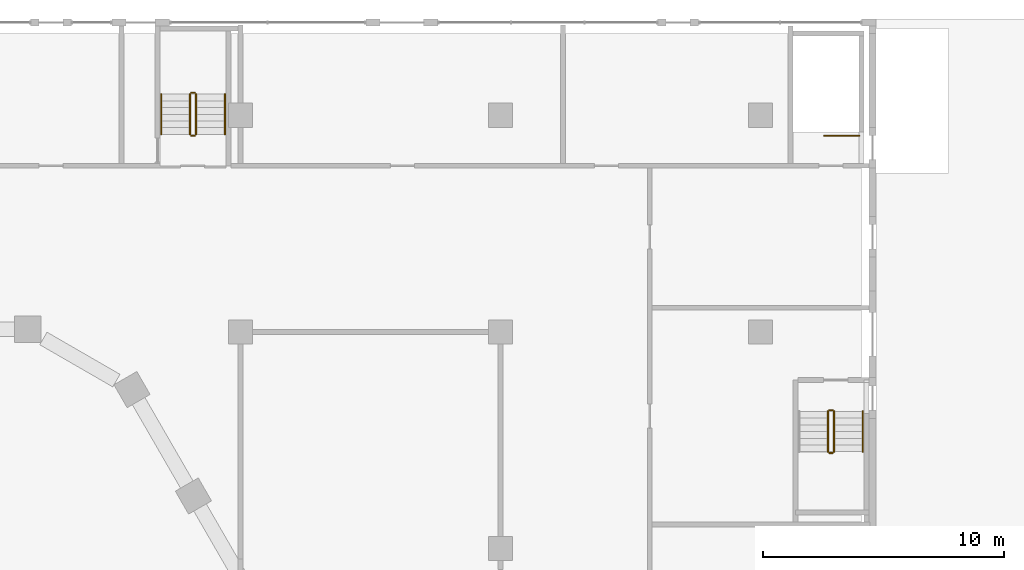
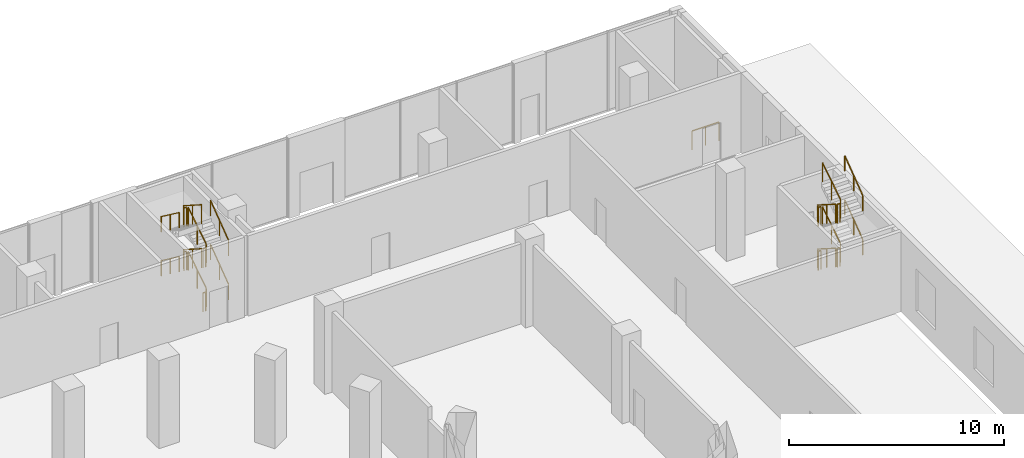
# One storey, part 55 of 57: 23 railings.
"""IFC4 building model written with IfcOpenShell, lengths in metres."""

from ifc_helpers import new_model, si_unit, direction, frame, origin, origin_2d, place, context, subcontext, project, spatial, rectangle, extrude, material, type_object, element, save


model = new_model("IFC4")

# Units and contexts
model_context = context("Model", 3, precision=1e-05, world=origin(), true_north=direction((0.0, 1.0)))
body_context = subcontext(model_context, "Body", "Model", "MODEL_VIEW")
ifc_project = project(units=[si_unit("LENGTHUNIT", "METRE"), si_unit("AREAUNIT", "SQUARE_METRE"), si_unit("VOLUMEUNIT", "CUBIC_METRE"), si_unit("PLANEANGLEUNIT", "RADIAN"), si_unit("MASSUNIT", "GRAM", prefix="KILO")], contexts=[model_context])

# Site, building, storey
site_placement = place(None, origin())
site = spatial("IfcSite", under=ifc_project, at=site_placement, CompositionType="ELEMENT")
building_placement = place(site_placement, origin())
building = spatial("IfcBuilding", under=site, at=building_placement, Name="Beryl Residences", CompositionType="ELEMENT")
storey_placement = place(building_placement, origin())
storey = spatial("IfcBuildingStorey", under=building, at=storey_placement, Name="L00", CompositionType="ELEMENT", Elevation=0.0)

# Railings
ifc_material_1 = material(Name="Stainless steel balustrade with glass infill", Category="steel")
railing_type_1 = type_object("IfcRailingType", Name="SG1 stair guard 1100 mm", PredefinedType="GUARDRAIL", material=ifc_material_1)
railing_1_placement = place(storey_placement, frame((47.300048828125, 35.14990234375, 0.0)))
element("IfcRailing", 1, at=railing_1_placement, inside=storey, type_object=railing_type_1, Name="L00 BS-3 top well guard 1", PredefinedType="GUARDRAIL", context=body_context, shape_type="SweptSolid", body=[
    extrude(rectangle(XDim=0.048095703125, YDim=0.048095703125, at=origin_2d()), frame((0.0, 0.0, 1.076171875), z_axis=(-1.0, 0.0, 0.0), x_axis=(0.0, -1.0, 0.0)), (0.0, 0.0, 1.0), 1.449951171875),
    extrude(rectangle(XDim=0.0419921875, YDim=0.0419921875, at=origin_2d()), origin(), (0.0, 0.0, 1.0), 1.052001953125),
    extrude(rectangle(XDim=0.0419921875, YDim=0.0419921875, at=origin_2d()), frame((-0.72509765625, 0.0, 0.0)), (0.0, 0.0, 1.0), 1.052001953125),
    extrude(rectangle(XDim=0.0419921875, YDim=0.0419921875, at=origin_2d()), frame((-1.449951171875, 0.0, 0.0)), (0.0, 0.0, 1.0), 1.052001953125),
])
railing_2_placement = place(storey_placement, frame((19.75, 35.199951171875, 0.178466796875)))
element("IfcRailing", 2, at=railing_2_placement, inside=storey, type_object=railing_type_1, Name="L00 PS-2 stair guard 1", PredefinedType="GUARDRAIL", context=body_context, shape_type="SweptSolid", body=[
    extrude(rectangle(XDim=0.048095703125, YDim=0.048095703125, at=origin_2d()), frame((0.0, 0.0, 1.076171875), z_axis=(0.0, 0.843095963019, 0.537763142231), x_axis=(-1.0, 0.0, 0.0)), (0.0, 0.0, 1.0), 1.99267578125),
    extrude(rectangle(XDim=0.0419921875, YDim=0.0419921875, at=origin_2d()), origin(), (0.0, 0.0, 1.0), 1.052001953125),
    extrude(rectangle(XDim=0.0419921875, YDim=0.0419921875, at=origin_2d()), frame((0.0, 0.83984375, 0.53564453125)), (0.0, 0.0, 1.0), 1.052001953125),
    extrude(rectangle(XDim=0.0419921875, YDim=0.0419921875, at=origin_2d()), frame((0.0, 1.679931640625, 1.071533203125)), (0.0, 0.0, 1.0), 1.052001953125),
])
railing_3_placement = place(storey_placement, frame((19.699951171875, 36.929931640625, 1.25)))
element("IfcRailing", 3, at=railing_3_placement, inside=storey, type_object=railing_type_1, Name="L00 PS-2 stair guard 2", PredefinedType="GUARDRAIL", context=body_context, shape_type="SweptSolid", body=[
    extrude(rectangle(XDim=0.048095703125, YDim=0.048095703125, at=origin_2d()), frame((0.0, 0.0, 1.076171875), z_axis=(-1.0, 0.0, 0.0), x_axis=(0.0, -1.0, 0.0)), (0.0, 0.0, 1.0), 0.14990234375),
    extrude(rectangle(XDim=0.0419921875, YDim=0.0419921875, at=origin_2d()), origin(), (0.0, 0.0, 1.0), 1.052001953125),
    extrude(rectangle(XDim=0.0419921875, YDim=0.0419921875, at=origin_2d()), frame((-0.14990234375, 0.0, 0.0)), (0.0, 0.0, 1.0), 1.052001953125),
])
railing_4_placement = place(storey_placement, frame((19.5, 36.8798828125, 1.428466796875)))
element("IfcRailing", 4, at=railing_4_placement, inside=storey, type_object=railing_type_1, Name="L00 PS-2 stair guard 3", PredefinedType="GUARDRAIL", context=body_context, shape_type="SweptSolid", body=[
    extrude(rectangle(XDim=0.048095703125, YDim=0.048095703125, at=origin_2d()), frame((0.0, 0.0, 1.076171875), z_axis=(0.0, -0.843095963019, 0.537763142231), x_axis=(1.0, 0.0, 0.0)), (0.0, 0.0, 1.0), 1.99267578125),
    extrude(rectangle(XDim=0.0419921875, YDim=0.0419921875, at=origin_2d()), origin(), (0.0, 0.0, 1.0), 1.052001953125),
    extrude(rectangle(XDim=0.0419921875, YDim=0.0419921875, at=origin_2d()), frame((0.0, -0.83984375, 0.53564453125)), (0.0, 0.0, 1.0), 1.052001953125),
    extrude(rectangle(XDim=0.0419921875, YDim=0.0419921875, at=origin_2d()), frame((0.0, -1.679931640625, 1.071533203125)), (0.0, 0.0, 1.0), 1.052001953125),
])
railing_5_placement = place(storey_placement, frame((19.699951171875, 35.14990234375, 2.5)))
element("IfcRailing", 5, at=railing_5_placement, inside=storey, type_object=railing_type_1, Name="L00 PS-2 stair guard 4", PredefinedType="GUARDRAIL", context=body_context, shape_type="SweptSolid", body=[
    extrude(rectangle(XDim=0.048095703125, YDim=0.048095703125, at=origin_2d()), frame((0.0, 0.0, 1.076171875), z_axis=(-1.0, 0.0, 0.0), x_axis=(0.0, -1.0, 0.0)), (0.0, 0.0, 1.0), 0.14990234375),
    extrude(rectangle(XDim=0.0419921875, YDim=0.0419921875, at=origin_2d()), origin(), (0.0, 0.0, 1.0), 1.052001953125),
    extrude(rectangle(XDim=0.0419921875, YDim=0.0419921875, at=origin_2d()), frame((-0.14990234375, 0.0, 0.0)), (0.0, 0.0, 1.0), 1.052001953125),
])
railing_6_placement = place(storey_placement, frame((19.75, 35.199951171875, 2.678466796875)))
element("IfcRailing", 6, at=railing_6_placement, inside=storey, type_object=railing_type_1, Name="L00 PS-2 stair guard 5", PredefinedType="GUARDRAIL", context=body_context, shape_type="SweptSolid", body=[
    extrude(rectangle(XDim=0.048095703125, YDim=0.048095703125, at=origin_2d()), frame((0.0, 0.0, 1.076171875), z_axis=(0.0, 0.843095963019, 0.537763142231), x_axis=(-1.0, 0.0, 0.0)), (0.0, 0.0, 1.0), 1.99267578125),
    extrude(rectangle(XDim=0.0419921875, YDim=0.0419921875, at=origin_2d()), origin(), (0.0, 0.0, 1.0), 1.052001953125),
    extrude(rectangle(XDim=0.0419921875, YDim=0.0419921875, at=origin_2d()), frame((0.0, 0.83984375, 0.53564453125)), (0.0, 0.0, 1.0), 1.052001953125),
    extrude(rectangle(XDim=0.0419921875, YDim=0.0419921875, at=origin_2d()), frame((0.0, 1.679931640625, 1.071533203125)), (0.0, 0.0, 1.0), 1.052001953125),
])
railing_7_placement = place(storey_placement, frame((19.699951171875, 36.929931640625, 3.75)))
element("IfcRailing", 7, at=railing_7_placement, inside=storey, type_object=railing_type_1, Name="L00 PS-2 stair guard 6", PredefinedType="GUARDRAIL", context=body_context, shape_type="SweptSolid", body=[
    extrude(rectangle(XDim=0.048095703125, YDim=0.048095703125, at=origin_2d()), frame((0.0, 0.0, 1.076171875), z_axis=(-1.0, 0.0, 0.0), x_axis=(0.0, -1.0, 0.0)), (0.0, 0.0, 1.0), 0.14990234375),
    extrude(rectangle(XDim=0.0419921875, YDim=0.0419921875, at=origin_2d()), origin(), (0.0, 0.0, 1.0), 1.052001953125),
    extrude(rectangle(XDim=0.0419921875, YDim=0.0419921875, at=origin_2d()), frame((-0.14990234375, 0.0, 0.0)), (0.0, 0.0, 1.0), 1.052001953125),
])
railing_8_placement = place(storey_placement, frame((19.5, 36.8798828125, 3.928466796875)))
element("IfcRailing", 8, at=railing_8_placement, inside=storey, type_object=railing_type_1, Name="L00 PS-2 stair guard 7", PredefinedType="GUARDRAIL", context=body_context, shape_type="SweptSolid", body=[
    extrude(rectangle(XDim=0.048095703125, YDim=0.048095703125, at=origin_2d()), frame((0.0, 0.0, 1.076171875), z_axis=(0.0, -0.843095963019, 0.537763142231), x_axis=(1.0, 0.0, 0.0)), (0.0, 0.0, 1.0), 1.99267578125),
    extrude(rectangle(XDim=0.0419921875, YDim=0.0419921875, at=origin_2d()), origin(), (0.0, 0.0, 1.0), 1.052001953125),
    extrude(rectangle(XDim=0.0419921875, YDim=0.0419921875, at=origin_2d()), frame((0.0, -0.83984375, 0.53564453125)), (0.0, 0.0, 1.0), 1.052001953125),
    extrude(rectangle(XDim=0.0419921875, YDim=0.0419921875, at=origin_2d()), frame((0.0, -1.679931640625, 1.071533203125)), (0.0, 0.0, 1.0), 1.052001953125),
])
railing_9_placement = place(storey_placement, frame((19.699951171875, 35.14990234375, 0.0)))
element("IfcRailing", 9, at=railing_9_placement, inside=storey, type_object=railing_type_1, Name="L00 PS-2 stair guard 8", PredefinedType="GUARDRAIL", context=body_context, shape_type="SweptSolid", body=[
    extrude(rectangle(XDim=0.048095703125, YDim=0.048095703125, at=origin_2d()), frame((0.0, 0.0, 1.076171875), z_axis=(-1.0, 0.0, 0.0), x_axis=(0.0, -1.0, 0.0)), (0.0, 0.0, 1.0), 0.14990234375),
    extrude(rectangle(XDim=0.0419921875, YDim=0.0419921875, at=origin_2d()), origin(), (0.0, 0.0, 1.0), 1.052001953125),
    extrude(rectangle(XDim=0.0419921875, YDim=0.0419921875, at=origin_2d()), frame((-0.14990234375, 0.0, 0.0)), (0.0, 0.0, 1.0), 1.052001953125),
])
railing_10_placement = place(storey_placement, frame((46.0, 23.699951171875, 0.178466796875)))
element("IfcRailing", 10, at=railing_10_placement, inside=storey, type_object=railing_type_1, Name="L00 PS-5 stair guard 1", PredefinedType="GUARDRAIL", context=body_context, shape_type="SweptSolid", body=[
    extrude(rectangle(XDim=0.048095703125, YDim=0.048095703125, at=origin_2d()), frame((0.0, 0.0, 1.076171875), z_axis=(0.0, -0.843095963019, 0.537763142231), x_axis=(1.0, 0.0, 0.0)), (0.0, 0.0, 1.0), 1.99267578125),
    extrude(rectangle(XDim=0.0419921875, YDim=0.0419921875, at=origin_2d()), origin(), (0.0, 0.0, 1.0), 1.052001953125),
    extrude(rectangle(XDim=0.0419921875, YDim=0.0419921875, at=origin_2d()), frame((0.0, -0.83984375, 0.53564453125)), (0.0, 0.0, 1.0), 1.052001953125),
    extrude(rectangle(XDim=0.0419921875, YDim=0.0419921875, at=origin_2d()), frame((0.0, -1.679931640625, 1.071533203125)), (0.0, 0.0, 1.0), 1.052001953125),
])
railing_11_placement = place(storey_placement, frame((46.050048828125, 21.969970703125, 1.25)))
element("IfcRailing", 11, at=railing_11_placement, inside=storey, type_object=railing_type_1, Name="L00 PS-5 stair guard 2", PredefinedType="GUARDRAIL", context=body_context, shape_type="SweptSolid", body=[
    extrude(rectangle(XDim=0.048095703125, YDim=0.048095703125, at=origin_2d()), frame((0.0, 0.0, 1.076171875), z_axis=(1.0, 0.0, 0.0), x_axis=(0.0, 1.0, 0.0)), (0.0, 0.0, 1.0), 0.14990234375),
    extrude(rectangle(XDim=0.0419921875, YDim=0.0419921875, at=origin_2d()), origin(), (0.0, 0.0, 1.0), 1.052001953125),
    extrude(rectangle(XDim=0.0419921875, YDim=0.0419921875, at=origin_2d()), frame((0.14990234375, 0.0, 0.0)), (0.0, 0.0, 1.0), 1.052001953125),
])
railing_12_placement = place(storey_placement, frame((46.25, 22.02001953125, 1.428466796875)))
element("IfcRailing", 12, at=railing_12_placement, inside=storey, type_object=railing_type_1, Name="L00 PS-5 stair guard 3", PredefinedType="GUARDRAIL", context=body_context, shape_type="SweptSolid", body=[
    extrude(rectangle(XDim=0.048095703125, YDim=0.048095703125, at=origin_2d()), frame((0.0, 0.0, 1.076171875), z_axis=(0.0, 0.843095963019, 0.537763142231), x_axis=(-1.0, 0.0, 0.0)), (0.0, 0.0, 1.0), 1.99267578125),
    extrude(rectangle(XDim=0.0419921875, YDim=0.0419921875, at=origin_2d()), origin(), (0.0, 0.0, 1.0), 1.052001953125),
    extrude(rectangle(XDim=0.0419921875, YDim=0.0419921875, at=origin_2d()), frame((0.0, 0.83984375, 0.53564453125)), (0.0, 0.0, 1.0), 1.052001953125),
    extrude(rectangle(XDim=0.0419921875, YDim=0.0419921875, at=origin_2d()), frame((0.0, 1.679931640625, 1.071533203125)), (0.0, 0.0, 1.0), 1.052001953125),
])
railing_13_placement = place(storey_placement, frame((46.050048828125, 23.75, 2.5)))
element("IfcRailing", 13, at=railing_13_placement, inside=storey, type_object=railing_type_1, Name="L00 PS-5 stair guard 4", PredefinedType="GUARDRAIL", context=body_context, shape_type="SweptSolid", body=[
    extrude(rectangle(XDim=0.048095703125, YDim=0.048095703125, at=origin_2d()), frame((0.0, 0.0, 1.076171875), z_axis=(1.0, 0.0, 0.0), x_axis=(0.0, 1.0, 0.0)), (0.0, 0.0, 1.0), 0.14990234375),
    extrude(rectangle(XDim=0.0419921875, YDim=0.0419921875, at=origin_2d()), origin(), (0.0, 0.0, 1.0), 1.052001953125),
    extrude(rectangle(XDim=0.0419921875, YDim=0.0419921875, at=origin_2d()), frame((0.14990234375, 0.0, 0.0)), (0.0, 0.0, 1.0), 1.052001953125),
])
railing_14_placement = place(storey_placement, frame((46.0, 23.699951171875, 2.678466796875)))
element("IfcRailing", 14, at=railing_14_placement, inside=storey, type_object=railing_type_1, Name="L00 PS-5 stair guard 5", PredefinedType="GUARDRAIL", context=body_context, shape_type="SweptSolid", body=[
    extrude(rectangle(XDim=0.048095703125, YDim=0.048095703125, at=origin_2d()), frame((0.0, 0.0, 1.076171875), z_axis=(0.0, -0.843095963019, 0.537763142231), x_axis=(1.0, 0.0, 0.0)), (0.0, 0.0, 1.0), 1.99267578125),
    extrude(rectangle(XDim=0.0419921875, YDim=0.0419921875, at=origin_2d()), origin(), (0.0, 0.0, 1.0), 1.052001953125),
    extrude(rectangle(XDim=0.0419921875, YDim=0.0419921875, at=origin_2d()), frame((0.0, -0.83984375, 0.53564453125)), (0.0, 0.0, 1.0), 1.052001953125),
    extrude(rectangle(XDim=0.0419921875, YDim=0.0419921875, at=origin_2d()), frame((0.0, -1.679931640625, 1.071533203125)), (0.0, 0.0, 1.0), 1.052001953125),
])
railing_15_placement = place(storey_placement, frame((46.050048828125, 21.969970703125, 3.75)))
element("IfcRailing", 15, at=railing_15_placement, inside=storey, type_object=railing_type_1, Name="L00 PS-5 stair guard 6", PredefinedType="GUARDRAIL", context=body_context, shape_type="SweptSolid", body=[
    extrude(rectangle(XDim=0.048095703125, YDim=0.048095703125, at=origin_2d()), frame((0.0, 0.0, 1.076171875), z_axis=(1.0, 0.0, 0.0), x_axis=(0.0, 1.0, 0.0)), (0.0, 0.0, 1.0), 0.14990234375),
    extrude(rectangle(XDim=0.0419921875, YDim=0.0419921875, at=origin_2d()), origin(), (0.0, 0.0, 1.0), 1.052001953125),
    extrude(rectangle(XDim=0.0419921875, YDim=0.0419921875, at=origin_2d()), frame((0.14990234375, 0.0, 0.0)), (0.0, 0.0, 1.0), 1.052001953125),
])
railing_16_placement = place(storey_placement, frame((46.25, 22.02001953125, 3.928466796875)))
element("IfcRailing", 16, at=railing_16_placement, inside=storey, type_object=railing_type_1, Name="L00 PS-5 stair guard 7", PredefinedType="GUARDRAIL", context=body_context, shape_type="SweptSolid", body=[
    extrude(rectangle(XDim=0.048095703125, YDim=0.048095703125, at=origin_2d()), frame((0.0, 0.0, 1.076171875), z_axis=(0.0, 0.843095963019, 0.537763142231), x_axis=(-1.0, 0.0, 0.0)), (0.0, 0.0, 1.0), 1.99267578125),
    extrude(rectangle(XDim=0.0419921875, YDim=0.0419921875, at=origin_2d()), origin(), (0.0, 0.0, 1.0), 1.052001953125),
    extrude(rectangle(XDim=0.0419921875, YDim=0.0419921875, at=origin_2d()), frame((0.0, 0.83984375, 0.53564453125)), (0.0, 0.0, 1.0), 1.052001953125),
    extrude(rectangle(XDim=0.0419921875, YDim=0.0419921875, at=origin_2d()), frame((0.0, 1.679931640625, 1.071533203125)), (0.0, 0.0, 1.0), 1.052001953125),
])
railing_17_placement = place(storey_placement, frame((46.050048828125, 23.75, 0.0)))
element("IfcRailing", 17, at=railing_17_placement, inside=storey, type_object=railing_type_1, Name="L00 PS-5 stair guard 8", PredefinedType="GUARDRAIL", context=body_context, shape_type="SweptSolid", body=[
    extrude(rectangle(XDim=0.048095703125, YDim=0.048095703125, at=origin_2d()), frame((0.0, 0.0, 1.076171875), z_axis=(1.0, 0.0, 0.0), x_axis=(0.0, 1.0, 0.0)), (0.0, 0.0, 1.0), 0.14990234375),
    extrude(rectangle(XDim=0.0419921875, YDim=0.0419921875, at=origin_2d()), origin(), (0.0, 0.0, 1.0), 1.052001953125),
    extrude(rectangle(XDim=0.0419921875, YDim=0.0419921875, at=origin_2d()), frame((0.14990234375, 0.0, 0.0)), (0.0, 0.0, 1.0), 1.052001953125),
])
ifc_material_2 = material(Name="Stainless steel handrail", Category="steel")
railing_type_2 = type_object("IfcRailingType", Name="SRL1 stair handrail 900 mm", PredefinedType="HANDRAIL", material=ifc_material_2)
railing_18_placement = place(storey_placement, frame((20.949951171875, 35.199951171875, 0.178466796875)))
element("IfcRailing", 18, at=railing_18_placement, inside=storey, type_object=railing_type_2, Name="L00 PS-2 stair handrail 1", PredefinedType="HANDRAIL", context=body_context, shape_type="SweptSolid", body=[
    extrude(rectangle(XDim=0.048095703125, YDim=0.048095703125, at=origin_2d()), frame((0.0, 0.0, 0.8759765625), z_axis=(0.0, 0.802274775538, 0.59695492672), x_axis=(-1.0, 0.0, 0.0)), (0.0, 0.0, 1.0), 2.093994140625),
    extrude(rectangle(XDim=0.0419921875, YDim=0.0419921875, at=origin_2d()), origin(), (0.0, 0.0, 1.0), 0.851806640625),
    extrude(rectangle(XDim=0.0419921875, YDim=0.0419921875, at=origin_2d()), frame((0.0, 0.83984375, 0.625)), (0.0, 0.0, 1.0), 0.851806640625),
    extrude(rectangle(XDim=0.0419921875, YDim=0.0419921875, at=origin_2d()), frame((0.0, 1.679931640625, 1.25)), (0.0, 0.0, 1.0), 0.851806640625),
])
railing_19_placement = place(storey_placement, frame((18.300048828125, 36.8798828125, 1.428466796875)))
element("IfcRailing", 19, at=railing_19_placement, inside=storey, type_object=railing_type_2, Name="L00 PS-2 stair handrail 2", PredefinedType="HANDRAIL", context=body_context, shape_type="SweptSolid", body=[
    extrude(rectangle(XDim=0.048095703125, YDim=0.048095703125, at=origin_2d()), frame((0.0, 0.0, 0.8759765625), z_axis=(0.0, -0.802274775538, 0.59695492672), x_axis=(1.0, 0.0, 0.0)), (0.0, 0.0, 1.0), 2.093994140625),
    extrude(rectangle(XDim=0.0419921875, YDim=0.0419921875, at=origin_2d()), origin(), (0.0, 0.0, 1.0), 0.851806640625),
    extrude(rectangle(XDim=0.0419921875, YDim=0.0419921875, at=origin_2d()), frame((0.0, -0.83984375, 0.625)), (0.0, 0.0, 1.0), 0.851806640625),
    extrude(rectangle(XDim=0.0419921875, YDim=0.0419921875, at=origin_2d()), frame((0.0, -1.679931640625, 1.25)), (0.0, 0.0, 1.0), 0.851806640625),
])
railing_20_placement = place(storey_placement, frame((20.949951171875, 35.199951171875, 2.678466796875)))
element("IfcRailing", 20, at=railing_20_placement, inside=storey, type_object=railing_type_2, Name="L00 PS-2 stair handrail 3", PredefinedType="HANDRAIL", context=body_context, shape_type="SweptSolid", body=[
    extrude(rectangle(XDim=0.048095703125, YDim=0.048095703125, at=origin_2d()), frame((0.0, 0.0, 0.8759765625), z_axis=(0.0, 0.802274775538, 0.59695492672), x_axis=(-1.0, 0.0, 0.0)), (0.0, 0.0, 1.0), 2.093994140625),
    extrude(rectangle(XDim=0.0419921875, YDim=0.0419921875, at=origin_2d()), origin(), (0.0, 0.0, 1.0), 0.851806640625),
    extrude(rectangle(XDim=0.0419921875, YDim=0.0419921875, at=origin_2d()), frame((0.0, 0.83984375, 0.625)), (0.0, 0.0, 1.0), 0.851806640625),
    extrude(rectangle(XDim=0.0419921875, YDim=0.0419921875, at=origin_2d()), frame((0.0, 1.679931640625, 1.25)), (0.0, 0.0, 1.0), 0.851806640625),
])
railing_21_placement = place(storey_placement, frame((18.300048828125, 36.8798828125, 3.928466796875)))
element("IfcRailing", 21, at=railing_21_placement, inside=storey, type_object=railing_type_2, Name="L00 PS-2 stair handrail 4", PredefinedType="HANDRAIL", context=body_context, shape_type="SweptSolid", body=[
    extrude(rectangle(XDim=0.048095703125, YDim=0.048095703125, at=origin_2d()), frame((0.0, 0.0, 0.8759765625), z_axis=(0.0, -0.802274775538, 0.59695492672), x_axis=(1.0, 0.0, 0.0)), (0.0, 0.0, 1.0), 2.093994140625),
    extrude(rectangle(XDim=0.0419921875, YDim=0.0419921875, at=origin_2d()), origin(), (0.0, 0.0, 1.0), 0.851806640625),
    extrude(rectangle(XDim=0.0419921875, YDim=0.0419921875, at=origin_2d()), frame((0.0, -0.83984375, 0.625)), (0.0, 0.0, 1.0), 0.851806640625),
    extrude(rectangle(XDim=0.0419921875, YDim=0.0419921875, at=origin_2d()), frame((0.0, -1.679931640625, 1.25)), (0.0, 0.0, 1.0), 0.851806640625),
])
for number, where, name in (
    (22, (47.449951171875, 22.02001953125, 1.428466796875), "L00 PS-5 stair handrail 2"),
    (23, (47.449951171875, 22.02001953125, 3.928466796875), "L00 PS-5 stair handrail 4"),
):
    element("IfcRailing", number, at=place(storey_placement, frame(where)), inside=storey, type_object=railing_type_2, Name=name, PredefinedType="HANDRAIL", context=body_context, shape_type="SweptSolid", body=[
        extrude(rectangle(XDim=0.048095703125, YDim=0.048095703125, at=origin_2d()), frame((0.0, 0.0, 0.8759765625), z_axis=(0.0, 0.802274775538, 0.59695492672), x_axis=(-1.0, 0.0, 0.0)), (0.0, 0.0, 1.0), 2.093994140625),
        extrude(rectangle(XDim=0.0419921875, YDim=0.0419921875, at=origin_2d()), origin(), (0.0, 0.0, 1.0), 0.851806640625),
        extrude(rectangle(XDim=0.0419921875, YDim=0.0419921875, at=origin_2d()), frame((0.0, 0.83984375, 0.625)), (0.0, 0.0, 1.0), 0.851806640625),
        extrude(rectangle(XDim=0.0419921875, YDim=0.0419921875, at=origin_2d()), frame((0.0, 1.679931640625, 1.25)), (0.0, 0.0, 1.0), 0.851806640625),
    ])

save(model, "model.ifc")
